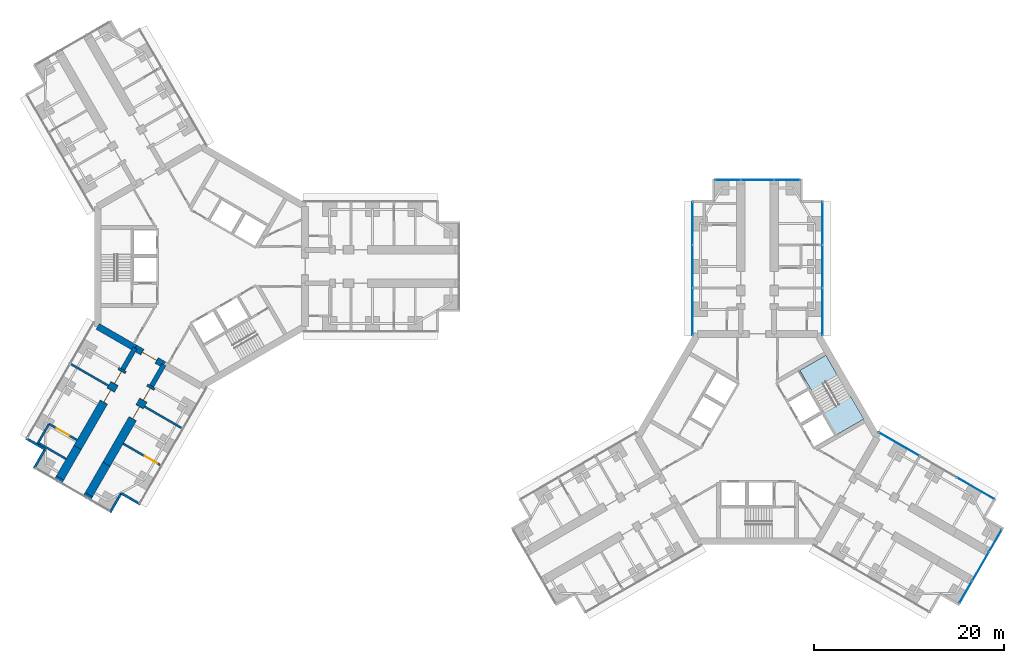
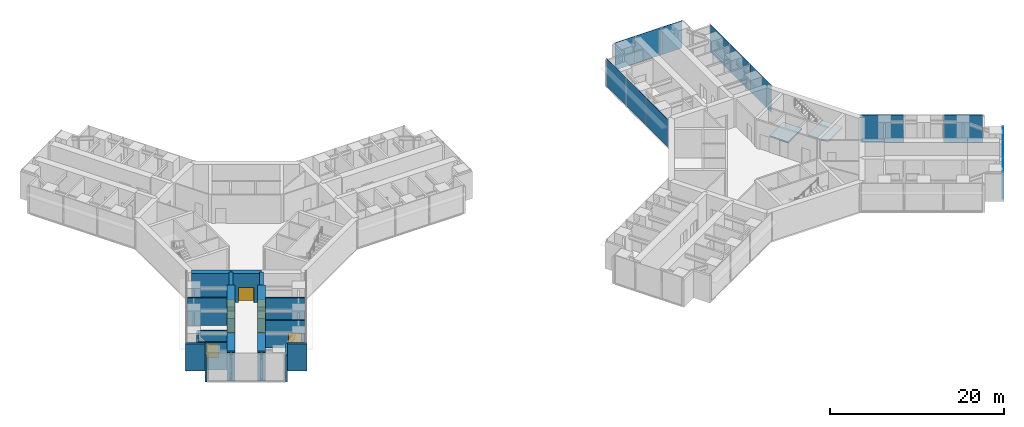
# One storey, part 15 of 22: 20 walls, 14 plates, 7 doors, 2 slabs, 7 openings, 6 elements without a shape of their own.
"""IFC4 building model written with IfcOpenShell, lengths in metres."""

from ifc_helpers import new_model, si_unit, direction, frame, frame_2d, origin, origin_2d, place, context, subcontext, project, spatial, polyline, rectangle, outline, extrude, material, layer, layer_set, type_object, element, fill, aggregate, save


model = new_model("IFC4")

# Units and contexts
model_context = context("Model", 3, precision=1e-05, world=origin(), true_north=direction((0.0, 1.0)))
body_context = subcontext(model_context, "Body", "Model", "MODEL_VIEW")
ifc_project = project(units=[si_unit("LENGTHUNIT", "METRE"), si_unit("AREAUNIT", "SQUARE_METRE"), si_unit("VOLUMEUNIT", "CUBIC_METRE"), si_unit("PLANEANGLEUNIT", "RADIAN"), si_unit("MASSUNIT", "GRAM", prefix="KILO")], contexts=[model_context])

# Site, building, storey
site_placement = place(None, origin())
site = spatial("IfcSite", under=ifc_project, at=site_placement, CompositionType="ELEMENT")
building_placement = place(site_placement, origin())
building = spatial("IfcBuilding", under=site, at=building_placement, Name="Upepo Twin Towers", CompositionType="ELEMENT")
storey_placement = place(building_placement, frame((0.0, 0.0, 36.5)))
storey = spatial("IfcBuildingStorey", under=building, at=storey_placement, Name="L08", CompositionType="ELEMENT", Elevation=36.5)

# Curtain wall, plates
ifc_material_1 = material(Name="Aluminium and fritted glass", Category="aluminium")
curtain_wall_type = type_object("IfcCurtainWallType", Name="Tower curtain wall TW1, fritted glass", PredefinedType="NOTDEFINED", material=ifc_material_1)
curtain_wall_1_placement = place(storey_placement, origin())
curtain_wall_1 = element("IfcCurtainWall", 1, at=curtain_wall_1_placement, inside=storey, type_object=curtain_wall_type, Name="T2 L08 wing A flank L curtain wall", PredefinedType="NOTDEFINED")
ifc_material_2 = material(Name="Ceramic-fritted laminated glass", Category="glass")
ifc_layer_1 = layer(ifc_material_2, 0.031982421875)
ifc_layer_set_1 = layer_set([ifc_layer_1], Name="Fritted glass panel, 20 per cent dot frit, 32 mm double glazed")
plate_type_1 = type_object("IfcPlateType", Name="Fritted glass panel, 20 per cent dot frit, 32 mm double glazed", PredefinedType="CURTAIN_PANEL", material=ifc_layer_set_1)
plate_1_placement = place(storey_placement, frame((51.64990234375, -4.76513671875, 0.14990234375), z_axis=(0.0, 0.0, 1.0), x_axis=(0.0, 1.0, 0.0)))
plate_1 = element("IfcPlate", 2, at=plate_1_placement, type_object=plate_type_1, Name="T2 L08 wing A flank L curtain wall panel 1", PredefinedType="CURTAIN_PANEL", context=body_context, shape_type="SweptSolid", body=[
    extrude(rectangle(XDim=4.96533203125, YDim=0.031982421875, at=origin_2d()), origin(), (0.0, 0.0, 1.0), 3.85009765625),
])
plate_2_placement = place(storey_placement, frame((51.64990234375, 0.0, 0.14990234375), z_axis=(0.0, 0.0, 1.0), x_axis=(0.0, 1.0, 0.0)))
plate_2 = element("IfcPlate", 3, at=plate_2_placement, type_object=plate_type_1, Name="T2 L08 wing A flank L curtain wall panel 2", PredefinedType="CURTAIN_PANEL", context=body_context, shape_type="SweptSolid", body=[
    extrude(rectangle(XDim=4.43505859375, YDim=0.031982421875, at=origin_2d()), origin(), (0.0, 0.0, 1.0), 3.85009765625),
])
plate_3_placement = place(storey_placement, frame((51.64990234375, 4.53369140625, 0.14990234375), z_axis=(0.0, 0.0, 1.0), x_axis=(0.0, 1.0, 0.0)))
plate_3 = element("IfcPlate", 4, at=plate_3_placement, type_object=plate_type_1, Name="T2 L08 wing A flank L curtain wall panel 3", PredefinedType="CURTAIN_PANEL", context=body_context, shape_type="SweptSolid", body=[
    extrude(rectangle(XDim=4.50244140625, YDim=0.031982421875, at=origin_2d()), origin(), (0.0, 0.0, 1.0), 3.85009765625),
])
aggregate(curtain_wall_1, [plate_1, plate_2, plate_3])

curtain_wall_2_placement = place(storey_placement, origin())
curtain_wall_2 = element("IfcCurtainWall", 5, at=curtain_wall_2_placement, inside=storey, type_object=curtain_wall_type, Name="T2 L08 wing A flank R curtain wall", PredefinedType="NOTDEFINED")
plate_4_placement = place(storey_placement, frame((65.35009765625, 4.53369140625, 0.14990234375), z_axis=(0.0, 0.0, 1.0), x_axis=(0.0, -1.0, 0.0)))
plate_4 = element("IfcPlate", 6, at=plate_4_placement, type_object=plate_type_1, Name="T2 L08 wing A flank R curtain wall panel 1", PredefinedType="CURTAIN_PANEL", context=body_context, shape_type="SweptSolid", body=[
    extrude(rectangle(XDim=4.50244140625, YDim=0.031982421875, at=origin_2d()), origin(), (0.0, 0.0, 1.0), 3.85009765625),
])
plate_5_placement = place(storey_placement, frame((65.35009765625, 0.0, 0.14990234375), z_axis=(0.0, 0.0, 1.0), x_axis=(0.0, -1.0, 0.0)))
plate_5 = element("IfcPlate", 7, at=plate_5_placement, type_object=plate_type_1, Name="T2 L08 wing A flank R curtain wall panel 2", PredefinedType="CURTAIN_PANEL", context=body_context, shape_type="SweptSolid", body=[
    extrude(rectangle(XDim=4.43505859375, YDim=0.031982421875, at=origin_2d()), origin(), (0.0, 0.0, 1.0), 3.85009765625),
])
plate_6_placement = place(storey_placement, frame((65.35009765625, -4.76513671875, 0.14990234375), z_axis=(0.0, 0.0, 1.0), x_axis=(0.0, -1.0, 0.0)))
plate_6 = element("IfcPlate", 8, at=plate_6_placement, type_object=plate_type_1, Name="T2 L08 wing A flank R curtain wall panel 3", PredefinedType="CURTAIN_PANEL", context=body_context, shape_type="SweptSolid", body=[
    extrude(rectangle(XDim=4.96533203125, YDim=0.031982421875, at=origin_2d()), origin(), (0.0, 0.0, 1.0), 3.85009765625),
])
aggregate(curtain_wall_2, [plate_4, plate_5, plate_6])

# Curtain wall, plate
curtain_wall_3_placement = place(storey_placement, origin())
curtain_wall_3 = element("IfcCurtainWall", 9, at=curtain_wall_3_placement, inside=storey, type_object=curtain_wall_type, Name="T2 L08 wing A nose curtain wall", PredefinedType="NOTDEFINED")
plate_7_placement = place(storey_placement, frame((58.5, 9.10009765625, 0.14990234375), z_axis=(0.0, 0.0, 1.0), x_axis=(-1.0, 0.0, 0.0)))
plate_7 = element("IfcPlate", 10, at=plate_7_placement, type_object=plate_type_1, Name="T2 L08 wing A nose curtain wall panel 2", PredefinedType="CURTAIN_PANEL", context=body_context, shape_type="SweptSolid", body=[
    extrude(rectangle(XDim=3.43505859375, YDim=0.031982421875, at=origin_2d()), origin(), (0.0, 0.0, 1.0), 3.85009765625),
])

# Curtain wall, plates
curtain_wall_4_placement = place(storey_placement, origin())
curtain_wall_4 = element("IfcCurtainWall", 11, at=curtain_wall_4_placement, inside=storey, type_object=curtain_wall_type, Name="T2 L08 wing C flank L curtain wall", PredefinedType="NOTDEFINED")
plate_8_placement = place(storey_placement, frame((73.38671875, -18.68505859375, 0.14990234375), z_axis=(0.0, 0.0, 1.0), x_axis=(0.866025389682, -0.500000024426, 0.0)))
plate_8 = element("IfcPlate", 12, at=plate_8_placement, type_object=plate_type_1, Name="T2 L08 wing C flank L curtain wall panel 1", PredefinedType="CURTAIN_PANEL", context=body_context, shape_type="SweptSolid", body=[
    extrude(rectangle(XDim=4.96533203125, YDim=0.031982421875, at=origin_2d()), origin(), (0.0, 0.0, 1.0), 3.85009765625),
])
plate_9_placement = place(storey_placement, frame((81.439697265625, -23.334716796875, 0.14990234375), z_axis=(0.0, 0.0, 1.0), x_axis=(0.866025389682, -0.500000024426, 0.0)))
plate_9 = element("IfcPlate", 13, at=plate_9_placement, type_object=plate_type_1, Name="T2 L08 wing C flank L curtain wall panel 3", PredefinedType="CURTAIN_PANEL", context=body_context, shape_type="SweptSolid", body=[
    extrude(rectangle(XDim=4.50244140625, YDim=0.031982421875, at=origin_2d()), origin(), (0.0, 0.0, 1.0), 3.85009765625),
])
aggregate(curtain_wall_4, [plate_8, plate_9])

# Curtain wall, plate
curtain_wall_5_placement = place(storey_placement, origin())
curtain_wall_5 = element("IfcCurtainWall", 14, at=curtain_wall_5_placement, inside=storey, type_object=curtain_wall_type, Name="T2 L08 wing C nose curtain wall", PredefinedType="NOTDEFINED")
plate_10_placement = place(storey_placement, frame((81.96923828125, -31.550048828125, 0.14990234375), z_axis=(0.0, 0.0, 1.0), x_axis=(0.500000030502, 0.866025386174, 0.0)))
plate_10 = element("IfcPlate", 15, at=plate_10_placement, type_object=plate_type_1, Name="T2 L08 wing C nose curtain wall panel 2", PredefinedType="CURTAIN_PANEL", context=body_context, shape_type="SweptSolid", body=[
    extrude(rectangle(XDim=3.43505859375, YDim=0.031982421875, at=origin_2d()), origin(), (0.0, 0.0, 1.0), 3.85009765625),
])

# Plate
ifc_material_3 = material(Name="Clear laminated glass in opening sash", Category="glass")
ifc_layer_2 = layer(ifc_material_3, 0.031982421875)
ifc_layer_set_2 = layer_set([ifc_layer_2], Name="Operable glass panel, 32 mm double glazed")
plate_type_2 = type_object("IfcPlateType", Name="Operable glass panel, 32 mm double glazed", PredefinedType="CURTAIN_PANEL", material=ifc_layer_set_2)
plate_11_placement = place(storey_placement, frame((61.608642578125, 9.10009765625, 0.14990234375), z_axis=(0.0, 0.0, 1.0), x_axis=(-1.0, 0.0, 0.0)))
plate_11 = element("IfcPlate", 16, at=plate_11_placement, type_object=plate_type_2, Name="T2 L08 wing A nose curtain wall panel 1", PredefinedType="CURTAIN_PANEL", context=body_context, shape_type="SweptSolid", body=[
    extrude(rectangle(XDim=2.652587890625, YDim=0.031982421875, at=origin_2d()), origin(), (0.0, 0.0, 1.0), 3.85009765625),
])

plate_12_placement = place(storey_placement, frame((55.391357421875, 9.10009765625, 0.14990234375), z_axis=(0.0, 0.0, 1.0), x_axis=(-1.0, 0.0, 0.0)))
plate_12 = element("IfcPlate", 17, at=plate_12_placement, type_object=plate_type_2, Name="T2 L08 wing A nose curtain wall panel 3", PredefinedType="CURTAIN_PANEL", context=body_context, shape_type="SweptSolid", body=[
    extrude(rectangle(XDim=2.652587890625, YDim=0.031982421875, at=origin_2d()), origin(), (0.0, 0.0, 1.0), 3.85009765625),
])

aggregate(curtain_wall_3, [plate_11, plate_7, plate_12])

plate_13_placement = place(storey_placement, frame((80.414794921875, -34.2421875, 0.14990234375), z_axis=(0.0, 0.0, 1.0), x_axis=(0.500000030502, 0.866025386174, 0.0)))
plate_13 = element("IfcPlate", 18, at=plate_13_placement, type_object=plate_type_2, Name="T2 L08 wing C nose curtain wall panel 1", PredefinedType="CURTAIN_PANEL", context=body_context, shape_type="SweptSolid", body=[
    extrude(rectangle(XDim=2.652587890625, YDim=0.031982421875, at=origin_2d()), origin(), (0.0, 0.0, 1.0), 3.85009765625),
])

plate_14_placement = place(storey_placement, frame((83.523681640625, -28.857666015625, 0.14990234375), z_axis=(0.0, 0.0, 1.0), x_axis=(0.500000030502, 0.866025386174, 0.0)))
plate_14 = element("IfcPlate", 19, at=plate_14_placement, type_object=plate_type_2, Name="T2 L08 wing C nose curtain wall panel 3", PredefinedType="CURTAIN_PANEL", context=body_context, shape_type="SweptSolid", body=[
    extrude(rectangle(XDim=2.652587890625, YDim=0.031982421875, at=origin_2d()), origin(), (0.0, 0.0, 1.0), 3.85009765625),
])

aggregate(curtain_wall_5, [plate_13, plate_10, plate_14])

# Stair, slabs
ifc_material_4 = material(Name="Concrete C40/50", Category="concrete")
stair_type = type_object("IfcStairType", Name="Core stair, two flights", PredefinedType="HALF_TURN_STAIR", material=ifc_material_4)
stair_placement = place(storey_placement, origin())
stair = element("IfcStair", 20, at=stair_placement, inside=storey, type_object=stair_type, Name="T2 stair S2 L08", PredefinedType="HALF_TURN_STAIR")
ifc_material_5 = material(Name="Concrete C40/50", Category="concrete")
ifc_layer_3 = layer(ifc_material_5, 0.199951171875)
ifc_layer_set_3 = layer_set([ifc_layer_3], Name="Concrete C40/50")
slab_type = type_object("IfcSlabType", Name="Stair landing 200 RC", PredefinedType="LANDING", material=ifc_layer_set_3)
slab_1_placement = place(storey_placement, frame((0.0, 0.0, -0.199951171875)))
slab_1 = element("IfcSlab", 21, at=slab_1_placement, type_object=slab_type, Name="Stair S2 landing 1", PredefinedType="LANDING", context=body_context, shape_type="SweptSolid", body=[
    extrude(outline(polyline([(64.198486328125, -13.0703125), (66.933837890625, -11.490966796875), (65.69384765625, -9.34326171875), (62.95849609375, -10.922607421875), (64.198486328125, -13.0703125)])), origin(), (0.0, 0.0, 1.0), 0.199951171875),
])
slab_2_placement = place(storey_placement, frame((0.0, 0.0, 1.800048828125)))
slab_2 = element("IfcSlab", 22, at=slab_2_placement, type_object=slab_type, Name="Stair S2 landing 2", PredefinedType="LANDING", context=body_context, shape_type="SweptSolid", body=[
    extrude(outline(polyline([(66.77197265625, -17.7275390625), (69.680419921875, -16.04833984375), (68.3203125, -13.692626953125), (65.411865234375, -15.371826171875), (66.77197265625, -17.7275390625)])), origin(), (0.0, 0.0, 1.0), 0.199951171875),
])
aggregate(stair, [slab_1, slab_2])

# Wall
ifc_material_6 = material(Name="Concrete blockwork, plastered both faces", Category="masonry")
ifc_layer_4 = layer(ifc_material_6, 0.215087890625)
ifc_layer_set_4 = layer_set([ifc_layer_4], Name="Blockwork partition 215")
wall_type_1 = type_object("IfcWallType", Name="Blockwork partition 215", PredefinedType="PARTITIONING", material=ifc_layer_set_4)
wall_1_placement = place(storey_placement, frame((-5.9697265625, -14.739990234375, 0.0), z_axis=(0.0, 0.0, 1.0), x_axis=(0.866035472144, -0.499982560684, 0.0)))
element("IfcWall", 23, at=wall_1_placement, inside=storey, type_object=wall_type_1, Name="T1 partition CL at 15.75", PredefinedType="PARTITIONING", context=body_context, shape_type="SweptSolid", body=[
    extrude(rectangle(XDim=4.550048828125, YDim=0.215087890625, at=frame_2d((2.27490234375, 0.0))), origin(), (0.0, 0.0, 1.0), 3.800048828125),
])

# Wall, opening, door
wall_2_placement = place(storey_placement, frame((-8.2197265625, -18.636962890625, 0.0), z_axis=(0.0, 0.0, 1.0), x_axis=(0.866012237902, -0.500022803284, 0.0)))
wall_2 = element("IfcWall", 24, at=wall_2_placement, inside=storey, type_object=wall_type_1, Name="T1 partition CL at 20.25", PredefinedType="PARTITIONING", context=body_context, shape_type="SweptSolid", body=[
    extrude(rectangle(XDim=4.550048828125, YDim=0.215087890625, at=frame_2d((2.27490234375, 0.0))), origin(), (0.0, 0.0, 1.0), 3.800048828125),
])
opening_1_placement = place(wall_2_placement, frame((2.64990234375, 0.0, 0.0)))
opening_1 = element("IfcOpeningElement", 25, at=opening_1_placement, cuts=wall_2, Name="Opening D13", PredefinedType="OPENING", context=body_context, shape_type="SweptSolid", body=[
    extrude(rectangle(XDim=1.5, YDim=2.10009765625, at=frame_2d((0.75, 1.050048828125))), frame((0.0, 0.117431640625, 0.0), z_axis=(0.0, -1.0, 0.0), x_axis=(1.0, 0.0, 0.0)), (0.0, 0.0, 1.0), 0.235107421875),
])
ifc_material_7 = material(Name="Timber doorset", Category="wood")
door_type_1 = type_object("IfcDoorType", Name="Double door 1500 FD30", OperationType="DOUBLE_DOOR_SINGLE_SWING", PredefinedType="DOOR", material=ifc_material_7)
door_1_placement = place(opening_1_placement, origin())
door_1 = element("IfcDoor", 26, at=door_1_placement, inside=storey, type_object=door_type_1, Name="T1 L08 connecting door", OperationType="DOUBLE_DOOR_SINGLE_SWING", OverallHeight=2.10009765625, OverallWidth=1.5, PredefinedType="DOOR", context=body_context, shape_type="SweptSolid", body=[
    extrude(rectangle(XDim=1.5, YDim=2.10009765625, at=frame_2d((0.75, 1.050048828125))), frame((0.0, 0.02490234375, 0.0), z_axis=(0.0, -1.0, 0.0), x_axis=(1.0, 0.0, 0.0)), (0.0, 0.0, 1.0), 0.050048828125),
])
fill(opening_1, door_1)

# Walls
wall_3_placement = place(storey_placement, frame((-9.7802734375, -12.539794921875, 0.0), z_axis=(0.0, 0.0, 1.0), x_axis=(-0.866035472144, 0.499982560684, 0.0)))
element("IfcWall", 27, at=wall_3_placement, inside=storey, type_object=wall_type_1, Name="T1 partition CR at 15.75", PredefinedType="PARTITIONING", context=body_context, shape_type="SweptSolid", body=[
    extrude(rectangle(XDim=4.550048828125, YDim=0.215087890625, at=frame_2d((2.27490234375, 0.0))), origin(), (0.0, 0.0, 1.0), 3.800048828125),
])
wall_4_placement = place(storey_placement, frame((-16.024658203125, -16.5556640625, 0.0), z_axis=(0.0, 0.0, 1.0), x_axis=(-0.500077600433, -0.865980596518, 0.0)))
element("IfcWall", 28, at=wall_4_placement, inside=storey, type_object=wall_type_1, Name="T1 inner room partition CR at 22.35", PredefinedType="PARTITIONING", context=body_context, shape_type="SweptSolid", body=[
    extrude(rectangle(XDim=2.39990234375, YDim=0.215087890625, at=frame_2d((1.199951171875, 0.0))), origin(), (0.0, 0.0, 1.0), 3.800048828125),
])

# Wall, opening, door
wall_5_placement = place(storey_placement, frame((-13.080322265625, -18.255615234375, 0.0), z_axis=(0.0, 0.0, 1.0), x_axis=(-0.866020560687, 0.500008388397, 0.0)))
wall_5 = element("IfcWall", 29, at=wall_5_placement, inside=storey, type_object=wall_type_1, Name="T1 inner room partition CR end at 22.35", PredefinedType="PARTITIONING", context=body_context, shape_type="SweptSolid", body=[
    extrude(rectangle(XDim=3.39990234375, YDim=0.215087890625, at=frame_2d((1.699951171875, 0.0))), origin(), (0.0, 0.0, 1.0), 3.800048828125),
])
opening_2_placement = place(wall_5_placement, frame((0.949951171875, 0.0, 0.0)))
opening_2 = element("IfcOpeningElement", 30, at=opening_2_placement, cuts=wall_5, Name="Opening D13", PredefinedType="OPENING", context=body_context, shape_type="SweptSolid", body=[
    extrude(rectangle(XDim=1.5, YDim=2.10009765625, at=frame_2d((0.75, 1.050048828125))), frame((0.0, 0.117431640625, 0.0), z_axis=(0.0, -1.0, 0.0), x_axis=(1.0, 0.0, 0.0)), (0.0, 0.0, 1.0), 0.235107421875),
])
door_2_placement = place(opening_2_placement, origin())
door_2 = element("IfcDoor", 31, at=door_2_placement, inside=storey, type_object=door_type_1, Name="T1 L08 inner room door", OperationType="DOUBLE_DOOR_SINGLE_SWING", OverallHeight=2.10009765625, OverallWidth=1.5, PredefinedType="DOOR", context=body_context, shape_type="SweptSolid", body=[
    extrude(rectangle(XDim=1.5, YDim=2.10009765625, at=frame_2d((0.75, 1.050048828125))), frame((0.0, 0.02490234375, 0.0), z_axis=(0.0, -1.0, 0.0), x_axis=(1.0, 0.0, 0.0)), (0.0, 0.0, 1.0), 0.050048828125),
])
fill(opening_2, door_2)

# Walls
wall_6_placement = place(storey_placement, frame((-14.2265625, -20.240966796875, 0.0), z_axis=(0.0, 0.0, 1.0), x_axis=(-0.866020560687, 0.500008388397, 0.0)))
element("IfcWall", 32, at=wall_6_placement, inside=storey, type_object=wall_type_1, Name="T1 inner room partition CR end at 24.75", PredefinedType="PARTITIONING", context=body_context, shape_type="SweptSolid", body=[
    extrude(rectangle(XDim=3.39990234375, YDim=0.215087890625, at=frame_2d((1.699951171875, 0.0))), origin(), (0.0, 0.0, 1.0), 3.800048828125),
])
ifc_material_8 = material(Name="Dense concrete blockwork", Category="masonry")
ifc_layer_5 = layer(ifc_material_8, 0.89990234375)
ifc_layer_set_5 = layer_set([ifc_layer_5], Name="Buttress closer 900, blockwork with fire-stopping to the curtain wall")
wall_type_2 = type_object("IfcWallType", Name="Buttress closer 900, blockwork with fire-stopping to the curtain wall", PredefinedType="PARTITIONING", material=ifc_layer_set_5)
for number, where, z_axis, x_axis, name in (
    (33, (-11.83447265625, -23.997802734375, 0.0), (0.0, 0.0, 1.0), (-0.499949632511, -0.866054481515, 0.0), "T1 L08 wing C buttress closer L"),
    (34, (-14.865478515625, -22.247802734375, 0.0), (0.0, 0.0, 1.0), (-0.499949632511, -0.866054481515, 0.0), "T1 L08 wing C buttress closer R"),
):
    element("IfcWall", number, at=place(storey_placement, frame(where, z_axis=z_axis, x_axis=x_axis)), inside=storey, type_object=wall_type_2, Name=name, PredefinedType="PARTITIONING", context=body_context, shape_type="SweptSolid", body=[
        extrude(rectangle(XDim=0.31005859375, YDim=0.89990234375, at=frame_2d((0.155029296875, 0.0))), origin(), (0.0, 0.0, 1.0), 3.800048828125),
    ])
ifc_material_9 = material(Name="Concrete C60/75", Category="concrete")
ifc_layer_6 = layer(ifc_material_9, 0.5)
ifc_layer_set_6 = layer_set([ifc_layer_6], Name="Concrete C60/75")
wall_type_3 = type_object("IfcWallType", Name="Buttress wall 500 RC", PredefinedType="SHEAR", material=ifc_layer_set_6)
for number, where, z_axis, x_axis, name in (
    (35, (-3.938720703125, -10.32177734375, 0.0), (0.0, 0.0, 1.0), (-0.499918158782, -0.866072649678, 0.0), "T1 wing C buttress wall L"),
    (36, (-6.9697265625, -8.57177734375, 0.0), (0.0, 0.0, 1.0), (-0.499988811324, -0.866031863473, 0.0), "T1 wing C buttress wall R"),
):
    element("IfcWall", number, at=place(storey_placement, frame(where, z_axis=z_axis, x_axis=x_axis)), inside=storey, type_object=wall_type_3, Name=name, PredefinedType="SHEAR", context=body_context, shape_type="SweptSolid", body=[
        extrude(rectangle(XDim=2.591796875, YDim=0.5, at=frame_2d((1.2958984375, 0.0))), origin(), (0.0, 0.0, 1.0), 4.0),
    ])

# Wall, openings, doors
ifc_material_10 = material(Name="Concrete C60/75", Category="concrete")
ifc_layer_7 = layer(ifc_material_10, 0.89990234375)
ifc_layer_set_7 = layer_set([ifc_layer_7], Name="Concrete C60/75")
wall_type_4 = type_object("IfcWallType", Name="Buttress wall 900 RC", PredefinedType="SHEAR", material=ifc_layer_set_7)
wall_7_placement = place(storey_placement, frame((-5.234375, -12.56640625, 0.0), z_axis=(0.0, 0.0, 1.0), x_axis=(-0.499997557548, -0.86602681393, 0.0)))
wall_7 = element("IfcWall", 37, at=wall_7_placement, inside=storey, type_object=wall_type_4, Name="T1 wing C buttress wall L part 2", PredefinedType="SHEAR", context=body_context, shape_type="SweptSolid", body=[
    extrude(rectangle(XDim=9.5, YDim=0.89990234375, at=frame_2d((4.75, 0.0))), origin(), (0.0, 0.0, 1.0), 4.0),
])
opening_3_placement = place(wall_7_placement, frame((0.25, 0.0, 0.0)))
opening_3 = element("IfcOpeningElement", 38, at=opening_3_placement, cuts=wall_7, Name="Opening D13", PredefinedType="OPENING", context=body_context, shape_type="SweptSolid", body=[
    extrude(rectangle(XDim=1.5, YDim=2.10009765625, at=frame_2d((0.75, 1.050048828125))), frame((0.0, 0.4599609375, 0.0), z_axis=(0.0, -1.0, 0.0), x_axis=(1.0, 0.0, 0.0)), (0.0, 0.0, 1.0), 0.919921875),
])
opening_4_placement = place(wall_7_placement, frame((2.5, 0.0, 0.0)))
opening_4 = element("IfcOpeningElement", 39, at=opening_4_placement, cuts=wall_7, Name="Opening D13", PredefinedType="OPENING", context=body_context, shape_type="SweptSolid", body=[
    extrude(rectangle(XDim=1.5, YDim=2.10009765625, at=frame_2d((0.75, 1.050048828125))), frame((0.0, 0.4599609375, 0.0), z_axis=(0.0, -1.0, 0.0), x_axis=(1.0, 0.0, 0.0)), (0.0, 0.0, 1.0), 0.919921875),
])
door_3_placement = place(opening_3_placement, origin())
door_3 = element("IfcDoor", 40, at=door_3_placement, inside=storey, type_object=door_type_1, Name="T1 L08 laboratory prep room door", OperationType="DOUBLE_DOOR_SINGLE_SWING", OverallHeight=2.10009765625, OverallWidth=1.5, PredefinedType="DOOR", context=body_context, shape_type="SweptSolid", body=[
    extrude(rectangle(XDim=1.42, YDim=2.06009765625, at=frame_2d((0.75, 1.030029296875))), frame((0.0, 0.02490234375, 0.0), z_axis=(0.0, -1.0, 0.0), x_axis=(1.0, 0.0, 0.0)), (0.0, 0.0, 1.0), 0.050048828125),
    extrude(rectangle(XDim=0.04, YDim=2.10009765625, at=frame_2d((0.02001953125, 1.050048828125))), frame((0.0, 0.44970703125, 0.0), z_axis=(0.0, -1.0, 0.0), x_axis=(1.0, 0.0, 0.0)), (0.0, 0.0, 1.0), 0.8994140625),
    extrude(rectangle(XDim=0.04, YDim=2.10009765625, at=frame_2d((1.47998046875, 1.050048828125))), frame((0.0, 0.44970703125, 0.0), z_axis=(0.0, -1.0, 0.0), x_axis=(1.0, 0.0, 0.0)), (0.0, 0.0, 1.0), 0.8994140625),
    extrude(rectangle(XDim=1.42, YDim=0.04, at=frame_2d((0.75, 2.080078125))), frame((0.0, 0.44970703125, 0.0), z_axis=(0.0, -1.0, 0.0), x_axis=(1.0, 0.0, 0.0)), (0.0, 0.0, 1.0), 0.8994140625),
])
fill(opening_3, door_3)
door_4_placement = place(opening_4_placement, origin())
door_4 = element("IfcDoor", 41, at=door_4_placement, inside=storey, type_object=door_type_1, Name="T1 L08 research laboratory door", OperationType="DOUBLE_DOOR_SINGLE_SWING", OverallHeight=2.10009765625, OverallWidth=1.5, PredefinedType="DOOR", context=body_context, shape_type="SweptSolid", body=[
    extrude(rectangle(XDim=1.42, YDim=2.06009765625, at=frame_2d((0.75, 1.030029296875))), frame((0.0, 0.02490234375, 0.0), z_axis=(0.0, -1.0, 0.0), x_axis=(1.0, 0.0, 0.0)), (0.0, 0.0, 1.0), 0.050048828125),
    extrude(rectangle(XDim=0.04, YDim=2.10009765625, at=frame_2d((0.02001953125, 1.050048828125))), frame((0.0, 0.44970703125, 0.0), z_axis=(0.0, -1.0, 0.0), x_axis=(1.0, 0.0, 0.0)), (0.0, 0.0, 1.0), 0.8994140625),
    extrude(rectangle(XDim=0.04, YDim=2.10009765625, at=frame_2d((1.47998046875, 1.050048828125))), frame((0.0, 0.44970703125, 0.0), z_axis=(0.0, -1.0, 0.0), x_axis=(1.0, 0.0, 0.0)), (0.0, 0.0, 1.0), 0.8994140625),
    extrude(rectangle(XDim=1.42, YDim=0.04, at=frame_2d((0.75, 2.080078125))), frame((0.0, 0.44970703125, 0.0), z_axis=(0.0, -1.0, 0.0), x_axis=(1.0, 0.0, 0.0)), (0.0, 0.0, 1.0), 0.8994140625),
])
fill(opening_4, door_4)

# Wall
wall_8_placement = place(storey_placement, frame((-9.984375, -20.793701171875, 0.0), z_axis=(0.0, 0.0, 1.0), x_axis=(-0.500042316284, -0.866000971088, 0.0)))
element("IfcWall", 42, at=wall_8_placement, inside=storey, type_object=wall_type_4, Name="T1 wing C buttress wall L part 3", PredefinedType="SHEAR", context=body_context, shape_type="SweptSolid", body=[
    extrude(rectangle(XDim=3.699951171875, YDim=0.89990234375, at=frame_2d((1.85009765625, 0.0))), origin(), (0.0, 0.0, 1.0), 4.0),
])

# Wall, openings, doors
wall_9_placement = place(storey_placement, frame((-8.265625, -10.81640625, 0.0), z_axis=(0.0, 0.0, 1.0), x_axis=(-0.499997557548, -0.86602681393, 0.0)))
wall_9 = element("IfcWall", 43, at=wall_9_placement, inside=storey, type_object=wall_type_4, Name="T1 wing C buttress wall R part 2", PredefinedType="SHEAR", context=body_context, shape_type="SweptSolid", body=[
    extrude(rectangle(XDim=9.5, YDim=0.89990234375, at=frame_2d((4.75, 0.0))), origin(), (0.0, 0.0, 1.0), 4.0),
])
opening_5_placement = place(wall_9_placement, frame((0.25, 0.0, 0.0)))
opening_5 = element("IfcOpeningElement", 44, at=opening_5_placement, cuts=wall_9, Name="Opening D13", PredefinedType="OPENING", context=body_context, shape_type="SweptSolid", body=[
    extrude(rectangle(XDim=1.5, YDim=2.10009765625, at=frame_2d((0.75, 1.050048828125))), frame((0.0, 0.4599609375, 0.0), z_axis=(0.0, -1.0, 0.0), x_axis=(1.0, 0.0, 0.0)), (0.0, 0.0, 1.0), 0.919921875),
])
opening_6_placement = place(wall_9_placement, frame((2.5, 0.0, 0.0)))
opening_6 = element("IfcOpeningElement", 45, at=opening_6_placement, cuts=wall_9, Name="Opening D13", PredefinedType="OPENING", context=body_context, shape_type="SweptSolid", body=[
    extrude(rectangle(XDim=1.5, YDim=2.10009765625, at=frame_2d((0.75, 1.050048828125))), frame((0.0, 0.4599609375, 0.0), z_axis=(0.0, -1.0, 0.0), x_axis=(1.0, 0.0, 0.0)), (0.0, 0.0, 1.0), 0.919921875),
])
door_5_placement = place(opening_5_placement, origin())
door_5 = element("IfcDoor", 46, at=door_5_placement, inside=storey, type_object=door_type_1, Name="T1 L08 write-up room door", OperationType="DOUBLE_DOOR_SINGLE_SWING", OverallHeight=2.10009765625, OverallWidth=1.5, PredefinedType="DOOR", context=body_context, shape_type="SweptSolid", body=[
    extrude(rectangle(XDim=1.42, YDim=2.06009765625, at=frame_2d((0.75, 1.030029296875))), frame((0.0, 0.02490234375, 0.0), z_axis=(0.0, -1.0, 0.0), x_axis=(1.0, 0.0, 0.0)), (0.0, 0.0, 1.0), 0.050048828125),
    extrude(rectangle(XDim=0.04, YDim=2.10009765625, at=frame_2d((0.02001953125, 1.050048828125))), frame((0.0, 0.44970703125, 0.0), z_axis=(0.0, -1.0, 0.0), x_axis=(1.0, 0.0, 0.0)), (0.0, 0.0, 1.0), 0.8994140625),
    extrude(rectangle(XDim=0.04, YDim=2.10009765625, at=frame_2d((1.47998046875, 1.050048828125))), frame((0.0, 0.44970703125, 0.0), z_axis=(0.0, -1.0, 0.0), x_axis=(1.0, 0.0, 0.0)), (0.0, 0.0, 1.0), 0.8994140625),
    extrude(rectangle(XDim=1.42, YDim=0.04, at=frame_2d((0.75, 2.080078125))), frame((0.0, 0.44970703125, 0.0), z_axis=(0.0, -1.0, 0.0), x_axis=(1.0, 0.0, 0.0)), (0.0, 0.0, 1.0), 0.8994140625),
])
fill(opening_5, door_5)
door_6_placement = place(opening_6_placement, origin())
door_6 = element("IfcDoor", 47, at=door_6_placement, inside=storey, type_object=door_type_1, Name="T1 L08 teaching laboratory door", OperationType="DOUBLE_DOOR_SINGLE_SWING", OverallHeight=2.10009765625, OverallWidth=1.5, PredefinedType="DOOR", context=body_context, shape_type="SweptSolid", body=[
    extrude(rectangle(XDim=1.42, YDim=2.06009765625, at=frame_2d((0.75, 1.030029296875))), frame((0.0, 0.02490234375, 0.0), z_axis=(0.0, -1.0, 0.0), x_axis=(1.0, 0.0, 0.0)), (0.0, 0.0, 1.0), 0.050048828125),
    extrude(rectangle(XDim=0.04, YDim=2.10009765625, at=frame_2d((0.02001953125, 1.050048828125))), frame((0.0, 0.44970703125, 0.0), z_axis=(0.0, -1.0, 0.0), x_axis=(1.0, 0.0, 0.0)), (0.0, 0.0, 1.0), 0.8994140625),
    extrude(rectangle(XDim=0.04, YDim=2.10009765625, at=frame_2d((1.47998046875, 1.050048828125))), frame((0.0, 0.44970703125, 0.0), z_axis=(0.0, -1.0, 0.0), x_axis=(1.0, 0.0, 0.0)), (0.0, 0.0, 1.0), 0.8994140625),
    extrude(rectangle(XDim=1.42, YDim=0.04, at=frame_2d((0.75, 2.080078125))), frame((0.0, 0.44970703125, 0.0), z_axis=(0.0, -1.0, 0.0), x_axis=(1.0, 0.0, 0.0)), (0.0, 0.0, 1.0), 0.8994140625),
])
fill(opening_6, door_6)

# Walls
wall_10_placement = place(storey_placement, frame((-13.015625, -19.043701171875, 0.0), z_axis=(0.0, 0.0, 1.0), x_axis=(-0.499992827086, -0.866029545028, 0.0)))
element("IfcWall", 48, at=wall_10_placement, inside=storey, type_object=wall_type_4, Name="T1 wing C buttress wall R part 3", PredefinedType="SHEAR", context=body_context, shape_type="SweptSolid", body=[
    extrude(rectangle(XDim=3.69970703125, YDim=0.89990234375, at=frame_2d((1.849853515625, 0.0))), origin(), (0.0, 0.0, 1.0), 4.0),
])
ifc_material_11 = material(Name="Concrete C60/75", Category="concrete")
ifc_layer_8 = layer(ifc_material_11, 0.699951171875)
ifc_layer_set_8 = layer_set([ifc_layer_8], Name="Concrete C60/75")
wall_type_5 = type_object("IfcWallType", Name="Core wall 700 RC", PredefinedType="SHEAR", material=ifc_layer_set_8)
wall_11_placement = place(storey_placement, frame((-10.908447265625, -6.2978515625, 0.0), z_axis=(0.0, 0.0, 1.0), x_axis=(0.866034513004, -0.499984222037, 0.0)))
element("IfcWall", 49, at=wall_11_placement, inside=storey, type_object=wall_type_5, Name="T1 core wall 240 R", PredefinedType="SHEAR", context=body_context, shape_type="SweptSolid", body=[
    extrude(rectangle(XDim=4.548095703125, YDim=0.699951171875, at=frame_2d((2.27392578125, 0.0))), origin(), (0.0, 0.0, 1.0), 4.0),
])

# Wall, opening, door
wall_12_placement = place(storey_placement, frame((-6.9697265625, -8.57177734375, 0.0), z_axis=(0.0, 0.0, 1.0), x_axis=(0.866019471182, -0.500010275428, 0.0)))
wall_12 = element("IfcWall", 50, at=wall_12_placement, inside=storey, type_object=wall_type_5, Name="T1 core wall 240", PredefinedType="SHEAR", context=body_context, shape_type="SweptSolid", body=[
    extrude(rectangle(XDim=3.5, YDim=0.699951171875, at=frame_2d((1.75, 0.0))), origin(), (0.0, 0.0, 1.0), 4.0),
])
opening_7_placement = place(wall_12_placement, frame((0.85009765625, 0.0, 0.0)))
opening_7 = element("IfcOpeningElement", 51, at=opening_7_placement, cuts=wall_12, Name="Opening D2", PredefinedType="OPENING", context=body_context, shape_type="SweptSolid", body=[
    extrude(rectangle(XDim=1.800048828125, YDim=2.10009765625, at=frame_2d((0.89990234375, 1.050048828125))), frame((0.0, 0.35986328125, 0.0), z_axis=(0.0, -1.0, 0.0), x_axis=(1.0, 0.0, 0.0)), (0.0, 0.0, 1.0), 0.719970703125),
])
ifc_material_12 = material(Name="Timber doorset", Category="wood")
door_type_2 = type_object("IfcDoorType", Name="Corridor double door 1800 FD60", OperationType="DOUBLE_DOOR_DOUBLE_SWING", PredefinedType="DOOR", material=ifc_material_12)
door_7_placement = place(opening_7_placement, origin())
door_7 = element("IfcDoor", 52, at=door_7_placement, inside=storey, type_object=door_type_2, Name="T1 L08 wing C corridor door", OperationType="DOUBLE_DOOR_DOUBLE_SWING", OverallHeight=2.10009765625, OverallWidth=1.800048828125, PredefinedType="DOOR", context=body_context, shape_type="SweptSolid", body=[
    extrude(rectangle(XDim=1.720048828125, YDim=2.06009765625, at=frame_2d((0.89990234375, 1.030029296875))), frame((0.0, 0.02490234375, 0.0), z_axis=(0.0, -1.0, 0.0), x_axis=(1.0, 0.0, 0.0)), (0.0, 0.0, 1.0), 0.050048828125),
    extrude(rectangle(XDim=0.04, YDim=2.10009765625, at=frame_2d((0.02001953125, 1.050048828125))), frame((0.0, 0.349609375, 0.0), z_axis=(0.0, -1.0, 0.0), x_axis=(1.0, 0.0, 0.0)), (0.0, 0.0, 1.0), 0.699462890625),
    extrude(rectangle(XDim=0.04, YDim=2.10009765625, at=frame_2d((1.780029296875, 1.050048828125))), frame((0.0, 0.349609375, 0.0), z_axis=(0.0, -1.0, 0.0), x_axis=(1.0, 0.0, 0.0)), (0.0, 0.0, 1.0), 0.699462890625),
    extrude(rectangle(XDim=1.720048828125, YDim=0.04, at=frame_2d((0.89990234375, 2.080078125))), frame((0.0, 0.349609375, 0.0), z_axis=(0.0, -1.0, 0.0), x_axis=(1.0, 0.0, 0.0)), (0.0, 0.0, 1.0), 0.699462890625),
])
fill(opening_7, door_7)

# Walls
ifc_material_13 = material(Name="Blockwork with anodised aluminium cladding", Category="masonry")
ifc_layer_9 = layer(ifc_material_13, 0.25)
ifc_layer_set_9 = layer_set([ifc_layer_9], Name="Notch cladding wall 250, pale metal")
wall_type_6 = type_object("IfcWallType", Name="Notch cladding wall 250, pale metal", PredefinedType="STANDARD", material=ifc_layer_set_9)
for number, where, z_axis, x_axis, name in (
    (53, (-6.418701171875, -25.017333984375, 0.0), (0.0, 0.0, 1.0), (-0.866043940782, 0.499967891604, 0.0), "T1 L08 wing C notch wall L1"),
    (54, (-8.43212890625, -23.85498046875, 0.0), (0.0, 0.0, 1.0), (-0.500046648681, -0.865998469481, 0.0), "T1 L08 wing C notch wall L2"),
    (55, (-18.456298828125, -18.0673828125, 0.0), (0.0, 0.0, 1.0), (0.865998469481, -0.500046648681, 0.0), "T1 L08 wing C notch wall R1"),
    (56, (-16.44287109375, -19.22998046875, 0.0), (0.0, 0.0, 1.0), (-0.500046648681, -0.865998469481, 0.0), "T1 L08 wing C notch wall R2"),
):
    element("IfcWall", number, at=place(storey_placement, frame(where, z_axis=z_axis, x_axis=x_axis)), inside=storey, type_object=wall_type_6, Name=name, PredefinedType="STANDARD", context=body_context, shape_type="SweptSolid", body=[
        extrude(rectangle(XDim=2.324951171875, YDim=0.25, at=frame_2d((1.16259765625, 0.0))), origin(), (0.0, 0.0, 1.0), 3.800048828125),
    ])

save(model, "model.ifc")
